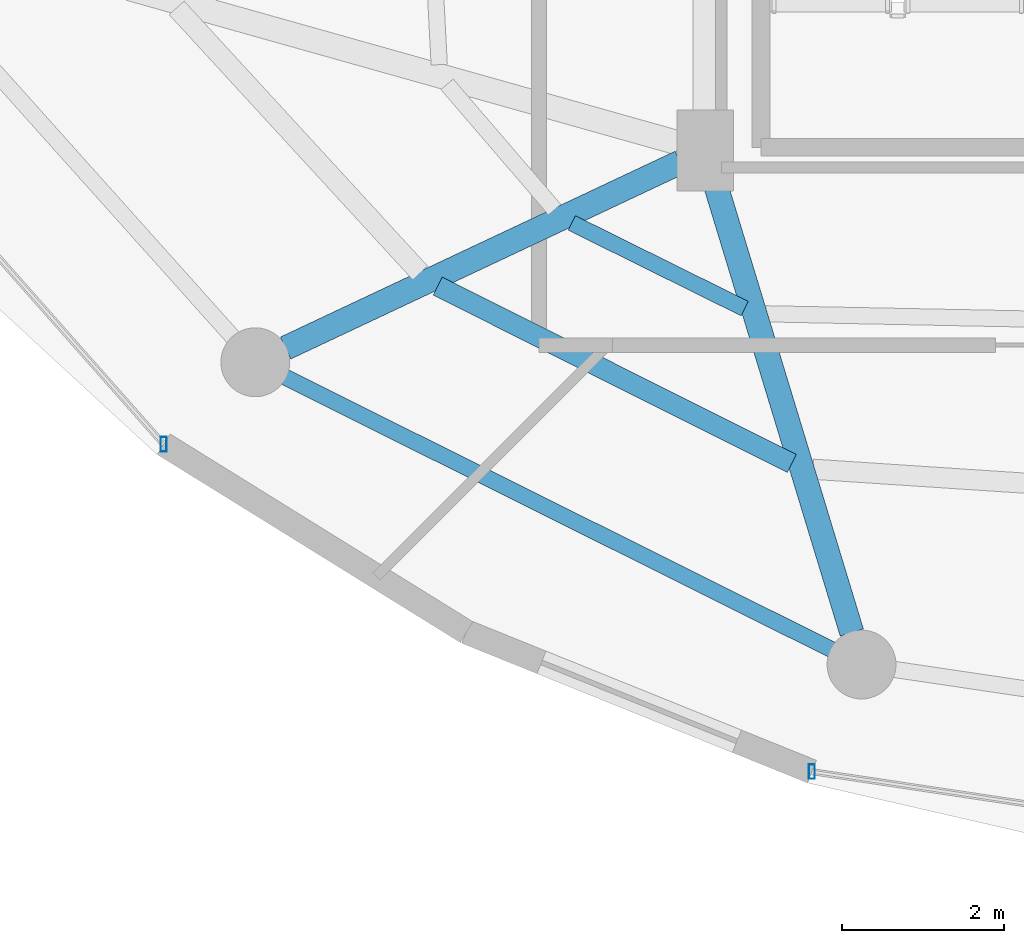
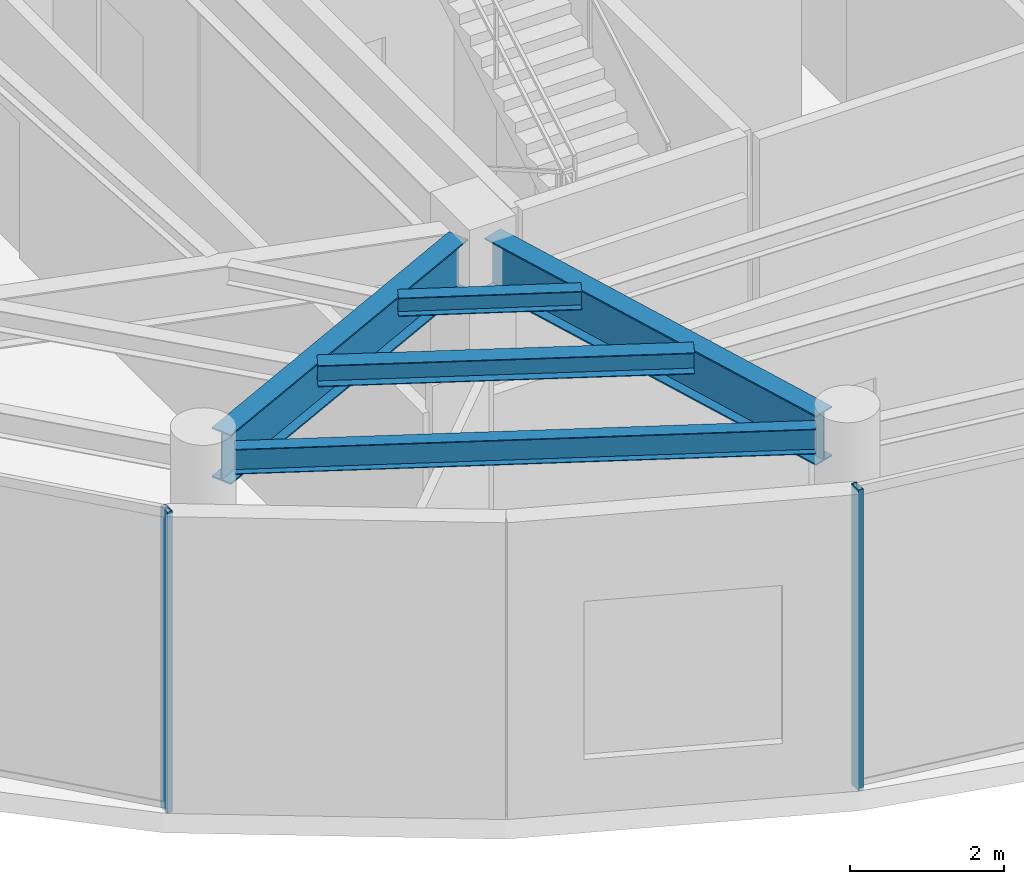
# One storey, part 2 of 24: 5 beams, 2 members, 2 elements without a shape of their own.
"""IFC4 building model written with IfcOpenShell, lengths in metres."""

from ifc_helpers import new_model, si_unit, direction, frame, origin, origin_2d, place, context, subcontext, project, spatial, hollow_rectangle, i_section, extrude, material, material_profile, profile_set, type_object, element, aggregate, save


model = new_model("IFC4")

# Units and contexts
model_context = context("Model", 3, precision=1e-05, world=origin(), true_north=direction((0.0, 1.0)))
body_context = subcontext(model_context, "Body", "Model", "MODEL_VIEW")
ifc_project = project(units=[si_unit("LENGTHUNIT", "METRE"), si_unit("AREAUNIT", "SQUARE_METRE"), si_unit("VOLUMEUNIT", "CUBIC_METRE"), si_unit("PLANEANGLEUNIT", "RADIAN"), si_unit("MASSUNIT", "GRAM", prefix="KILO")], contexts=[model_context])

# Site, building, storey
site_placement = place(None, origin())
site = spatial("IfcSite", under=ifc_project, at=site_placement, CompositionType="ELEMENT")
building_placement = place(site_placement, origin())
building = spatial("IfcBuilding", under=site, at=building_placement, Name="Vorneva Point Tower", CompositionType="ELEMENT")
storey_placement = place(building_placement, frame((0.0, 0.0, 285.39990234375)))
storey = spatial("IfcBuildingStorey", under=building, at=storey_placement, Name="L77", CompositionType="ELEMENT", Elevation=285.39990234375)

# Beams
ifc_material_1 = material(Name="Steel S355", Category="steel")
ifc_material_profile_1 = material_profile(ifc_material_1, i_section(OverallWidth=0.300048828125, OverallDepth=0.7880859375, WebThickness=0.014404296875, FlangeThickness=0.02197265625, at=origin_2d()), Name="80Sh1")
ifc_profile_set_1 = profile_set([ifc_material_profile_1], Name="Steel S355")
beam_type_1 = type_object("IfcBeamType", Name="BM-GRD-80Sh1", PredefinedType="USERDEFINED", material=ifc_profile_set_1)
beam_1_placement = place(storey_placement, frame((22.074951171875, 14.013671875, 4.296142578125), z_axis=(0.904750812805, 0.425941271455, 0.0), x_axis=(-0.425941271455, 0.904750812805, 0.0)))
element("IfcBeam", 1, at=beam_1_placement, inside=storey, type_object=beam_type_1, Name="L77 Radial Primary Girder 11", ObjectType="GIRDER", PredefinedType="USERDEFINED", context=body_context, shape_type="SweptSolid", body=[
    extrude(i_section(OverallWidth=0.300048828125, OverallDepth=0.7880859375, WebThickness=0.014404296875, FlangeThickness=0.02197265625, at=origin_2d()), origin(), (0.0, 0.0, 1.0), 5.3798828125),
])
beam_2_placement = place(storey_placement, frame((29.058837890625, 10.50439453125, 4.296142578125), z_axis=(-0.291032624293, 0.956713129207, 0.0), x_axis=(-0.956713129207, -0.291032624293, 0.0)))
element("IfcBeam", 2, at=beam_2_placement, inside=storey, type_object=beam_type_1, Name="L77 Radial Primary Girder 12", ObjectType="GIRDER", PredefinedType="USERDEFINED", context=body_context, shape_type="SweptSolid", body=[
    extrude(i_section(OverallWidth=0.300048828125, OverallDepth=0.7880859375, WebThickness=0.014404296875, FlangeThickness=0.02197265625, at=origin_2d()), origin(), (0.0, 0.0, 1.0), 5.874755859375),
])
ifc_material_profile_2 = material_profile(ifc_material_1, i_section(OverallWidth=0.199951171875, OverallDepth=0.291015625, WebThickness=0.008056640625, FlangeThickness=0.010986328125, at=origin_2d()), Name="30Sh1")
ifc_profile_set_2 = profile_set([ifc_material_profile_2], Name="Steel S355")
beam_type_2 = type_object("IfcBeamType", Name="BM-SEC-30Sh1", PredefinedType="BEAM", material=ifc_profile_set_2)
beam_3_placement = place(storey_placement, frame((25.605712890625, 15.556396484375, 4.544677734375), z_axis=(0.896082897708, -0.443886742803, 0.0), x_axis=(0.443886742803, 0.896082897708, 0.0)))
element("IfcBeam", 3, at=beam_3_placement, inside=storey, type_object=beam_type_2, Name="L77 Secondary Floor Beam 2.11", PredefinedType="BEAM", context=body_context, shape_type="SweptSolid", body=[
    extrude(i_section(OverallWidth=0.199951171875, OverallDepth=0.291015625, WebThickness=0.008056640625, FlangeThickness=0.010986328125, at=origin_2d()), origin(), (0.0, 0.0, 1.0), 2.3798828125),
])
ifc_material_profile_3 = material_profile(ifc_material_1, i_section(OverallWidth=0.2490234375, OverallDepth=0.333984375, WebThickness=0.008056640625, FlangeThickness=0.010986328125, at=origin_2d()), Name="35Sh1")
ifc_profile_set_3 = profile_set([ifc_material_profile_3], Name="Steel S355")
beam_type_3 = type_object("IfcBeamType", Name="BM-SEC-35Sh1", PredefinedType="BEAM", material=ifc_profile_set_3)
beam_4_placement = place(storey_placement, frame((23.95068359375, 14.77685546875, 4.523193359375), z_axis=(0.894207228659, -0.447653249975, 0.0), x_axis=(0.447653249975, 0.894207228659, 0.0)))
element("IfcBeam", 4, at=beam_4_placement, inside=storey, type_object=beam_type_3, Name="L77 Secondary Floor Beam 1.11", PredefinedType="BEAM", context=body_context, shape_type="SweptSolid", body=[
    extrude(i_section(OverallWidth=0.2490234375, OverallDepth=0.333984375, WebThickness=0.008056640625, FlangeThickness=0.010986328125, at=origin_2d()), origin(), (0.0, 0.0, 1.0), 4.885986328125),
])
ifc_material_profile_4 = material_profile(ifc_material_1, i_section(OverallWidth=0.198974609375, OverallDepth=0.39599609375, WebThickness=0.007080078125, FlangeThickness=0.010986328125, at=origin_2d()), Name="40B1")
ifc_profile_set_4 = profile_set([ifc_material_profile_4], Name="Steel S355")
beam_type_4 = type_object("IfcBeamType", Name="BM-SPN-40B1", PredefinedType="SPANDREL", material=ifc_profile_set_4)
beam_5_placement = place(storey_placement, frame((22.068115234375, 13.65478515625, 4.4921875), z_axis=(0.894932011528, -0.446202526599, 0.0), x_axis=(0.446202526599, 0.894932011528, 0.0)))
element("IfcBeam", 5, at=beam_5_placement, inside=storey, type_object=beam_type_4, Name="L77 Perimeter Spandrel Ring Beam 11", PredefinedType="SPANDREL", context=body_context, shape_type="SweptSolid", body=[
    extrude(i_section(OverallWidth=0.198974609375, OverallDepth=0.39599609375, WebThickness=0.007080078125, FlangeThickness=0.010986328125, at=origin_2d()), origin(), (0.0, 0.0, 1.0), 7.535888671875),
])

# Curtain wall, member
ifc_material_2 = material(Name="Pale anodised aluminium", Category="aluminium")
curtain_wall_type = type_object("IfcCurtainWallType", Name="CW-OBS-SYS", PredefinedType="NOTDEFINED", material=ifc_material_2)
curtain_wall_1_placement = place(storey_placement, origin())
curtain_wall_1 = element("IfcCurtainWall", 6, at=curtain_wall_1_placement, inside=storey, type_object=curtain_wall_type, Name="L77 Unitised Curtain Wall CW-L77-R03", PredefinedType="NOTDEFINED")
ifc_material_profile_5 = material_profile(ifc_material_2, hollow_rectangle(XDim=0.074951171875, YDim=0.179931640625, WallThickness=0.00390625, at=origin_2d()), Name="AL-MUL 180x75x4")
ifc_profile_set_5 = profile_set([ifc_material_profile_5], Name="Pale anodised aluminium")
member_type = type_object("IfcMemberType", Name="CW-MUL-180", PredefinedType="MULLION", material=ifc_profile_set_5)
member_1_placement = place(storey_placement, frame((20.56982421875, 12.82666015625, -0.039794921875), z_axis=(0.0, 0.0, 1.0), x_axis=(1.0, 0.0, 0.0)))
member_1 = element("IfcMember", 7, at=member_1_placement, type_object=member_type, Name="CW-L77-R03 Mullion 04", PredefinedType="MULLION", context=body_context, shape_type="SweptSolid", body=[
    extrude(hollow_rectangle(XDim=0.074951171875, YDim=0.179931640625, WallThickness=0.00390625, at=origin_2d()), origin(), (0.0, 0.0, 1.0), 4.760009765625),
])
aggregate(curtain_wall_1, [member_1])

curtain_wall_2_placement = place(storey_placement, origin())
curtain_wall_2 = element("IfcCurtainWall", 8, at=curtain_wall_2_placement, inside=storey, type_object=curtain_wall_type, Name="L77 Unitised Curtain Wall CW-L77-R04", PredefinedType="NOTDEFINED")
member_2_placement = place(storey_placement, frame((28.56689453125, 8.7880859375, -0.039794921875), z_axis=(0.0, 0.0, 1.0), x_axis=(1.0, 0.0, 0.0)))
member_2 = element("IfcMember", 9, at=member_2_placement, type_object=member_type, Name="CW-L77-R04 Mullion 01", PredefinedType="MULLION", context=body_context, shape_type="SweptSolid", body=[
    extrude(hollow_rectangle(XDim=0.074951171875, YDim=0.179931640625, WallThickness=0.00390625, at=origin_2d()), origin(), (0.0, 0.0, 1.0), 4.760009765625),
])
aggregate(curtain_wall_2, [member_2])

save(model, "model.ifc")
